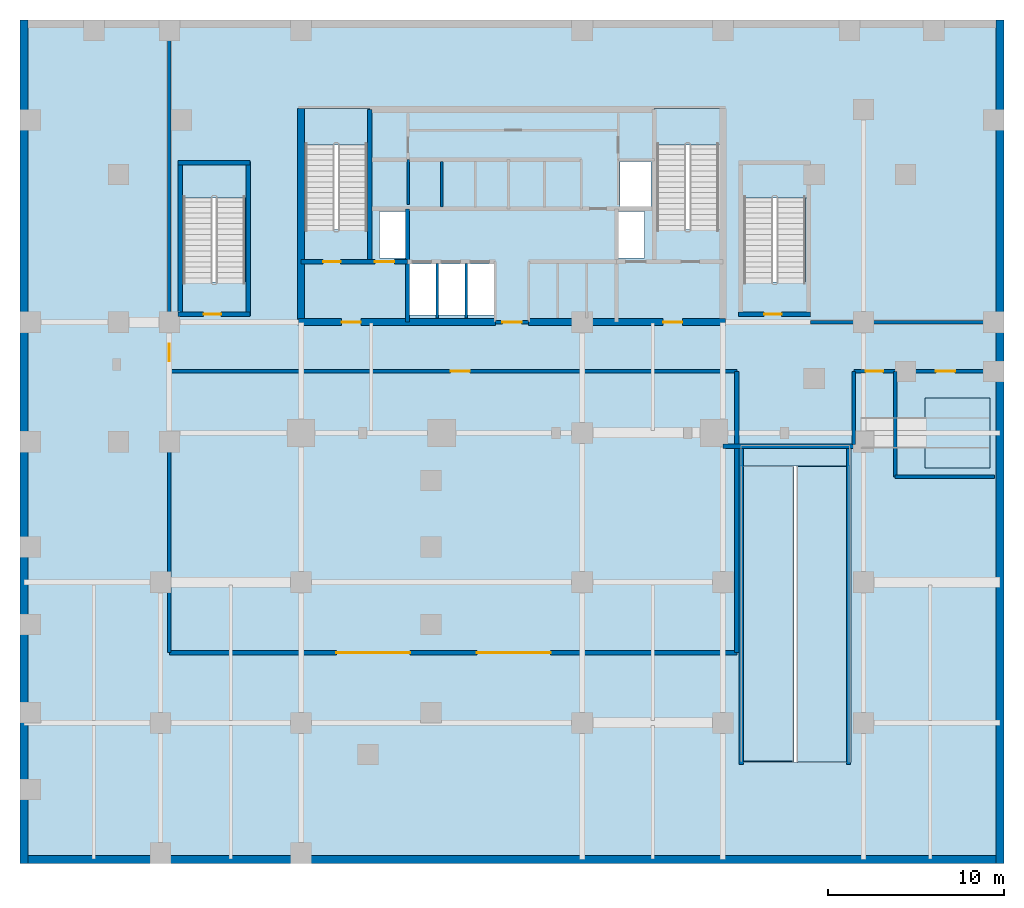
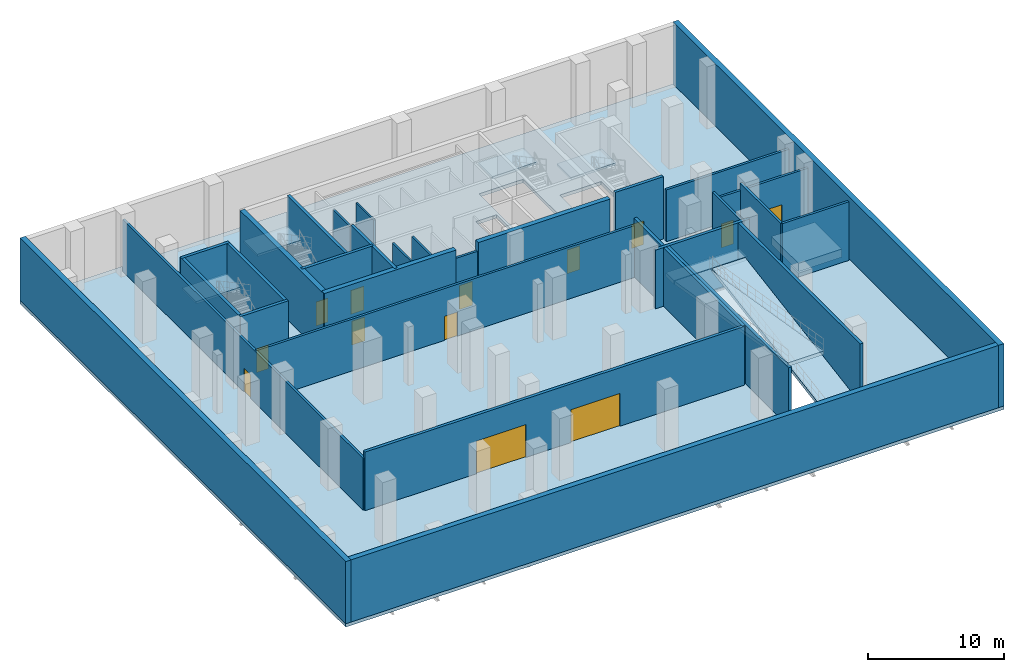
# One storey, part 2 of 5: 31 walls, 13 doors, 9 slabs, 13 openings, 4 elements without a shape of their own.
"""IFC4 building model written with IfcOpenShell, lengths in metres."""

from ifc_helpers import new_model, si_unit, direction, frame, frame_2d, origin, place, context, subcontext, project, spatial, polyline, rectangle, outline, extrude, material, layer, layer_set, type_object, element, fill, aggregate, save


model = new_model("IFC4")

# Units and contexts
model_context = context("Model", 3, precision=1e-05, world=origin(), true_north=direction((0.0, 1.0)))
body_context = subcontext(model_context, "Body", "Model", "MODEL_VIEW")
ifc_project = project(units=[si_unit("LENGTHUNIT", "METRE"), si_unit("AREAUNIT", "SQUARE_METRE"), si_unit("VOLUMEUNIT", "CUBIC_METRE"), si_unit("PLANEANGLEUNIT", "RADIAN"), si_unit("MASSUNIT", "GRAM", prefix="KILO")], contexts=[model_context])

# Site, building, storey
site_placement = place(None, origin())
site = spatial("IfcSite", under=ifc_project, at=site_placement, CompositionType="ELEMENT")
building_placement = place(site_placement, origin())
building = spatial("IfcBuilding", under=site, at=building_placement, Name="Catumbela Crestline Tower", CompositionType="ELEMENT")
storey_placement = place(building_placement, frame((0.0, 0.0, -5.6)))
storey = spatial("IfcBuildingStorey", under=building, at=storey_placement, Name="B01", CompositionType="ELEMENT", Elevation=-5.6)

# Slab
ifc_material_1 = material(Name="Concrete C45/55", Category="concrete")
ifc_layer_1 = layer(ifc_material_1, 0.3, Name="Concrete C45/55")
ifc_layer_set_1 = layer_set([ifc_layer_1], Name="Concrete C45/55")
slab_type_1 = type_object("IfcSlabType", Name="SL-300B", PredefinedType="FLOOR", material=ifc_layer_set_1)
slab_1_placement = place(storey_placement, frame((0.0, 0.0, -0.3)))
element("IfcSlab", 1, at=slab_1_placement, inside=storey, type_object=slab_type_1, Name="B01 Structural Floor Slab", PredefinedType="FLOOR", context=body_context, shape_type="SweptSolid", body=[
    extrude(outline(polyline([(0.0, 0.0), (56.0, 0.0), (56.0, 48.0), (0.0, 48.0), (0.0, 0.0)]), holes=[polyline([(16.13, 36.08), (19.87, 36.08), (19.87, 42.92), (16.13, 42.92), (16.13, 36.08)]), polyline([(36.13, 36.08), (39.87, 36.08), (39.87, 42.92), (36.13, 42.92), (36.13, 36.08)]), polyline([(12.8, 33.08), (12.8, 39.8), (9.3, 39.8), (9.3, 33.08), (12.8, 33.08)]), polyline([(44.7, 33.08), (44.7, 39.8), (41.2, 39.8), (41.2, 33.08), (44.7, 33.08)]), polyline([(22.15, 31.2), (27.0, 31.2), (27.0, 34.1), (22.15, 34.1), (22.15, 31.2)]), polyline([(20.45, 34.45), (21.95, 34.45), (21.95, 37.1), (20.45, 37.1), (20.45, 34.45)]), polyline([(34.05, 34.45), (35.55, 34.45), (35.55, 37.1), (34.05, 37.1), (34.05, 34.45)]), polyline([(34.15, 37.4), (35.9, 37.4), (35.9, 39.95), (34.15, 39.95), (34.15, 37.4)]), polyline([(40.96, 5.74), (47.28, 5.74), (47.28, 23.86), (40.96, 23.86), (40.96, 5.74)])]), origin(), (0.0, 0.0, 1.0), 0.3),
])

# Stair, slab
stair_type = type_object("IfcStairType", Name="ST-DLG", PredefinedType="HALF_TURN_STAIR", material=ifc_material_1)
stair_1_placement = place(storey_placement, origin())
stair_1 = element("IfcStair", 2, at=stair_1_placement, inside=storey, type_object=stair_type, Name="B01 West Core Pressurised Exit Stair ST-01", PredefinedType="HALF_TURN_STAIR")
ifc_layer_2 = layer(ifc_material_1, 0.2, Name="Concrete C45/55")
ifc_layer_set_2 = layer_set([ifc_layer_2], Name="Concrete C45/55")
slab_type_2 = type_object("IfcSlabType", Name="SL-LND", PredefinedType="LANDING", material=ifc_layer_set_2)
slab_2_placement = place(storey_placement, frame((0.0, 0.0, 2.6)))
slab_2 = element("IfcSlab", 3, at=slab_2_placement, type_object=slab_type_2, Name="ST-01 landing 1", PredefinedType="LANDING", context=body_context, shape_type="SweptSolid", body=[
    extrude(outline(polyline([(19.91, 40.88), (19.91, 42.96), (16.09, 42.96), (16.09, 40.88), (19.91, 40.88)])), origin(), (0.0, 0.0, 1.0), 0.2),
])
aggregate(stair_1, [slab_2])

stair_2_placement = place(storey_placement, origin())
stair_2 = element("IfcStair", 4, at=stair_2_placement, inside=storey, type_object=stair_type, Name="B01 East Core Pressurised Exit Stair ST-02", PredefinedType="HALF_TURN_STAIR")
slab_3_placement = place(storey_placement, frame((0.0, 0.0, 2.6)))
slab_3 = element("IfcSlab", 5, at=slab_3_placement, type_object=slab_type_2, Name="ST-02 landing 1", PredefinedType="LANDING", context=body_context, shape_type="SweptSolid", body=[
    extrude(outline(polyline([(39.91, 40.88), (39.91, 42.96), (36.09, 42.96), (36.09, 40.88), (39.91, 40.88)])), origin(), (0.0, 0.0, 1.0), 0.2),
])
aggregate(stair_2, [slab_3])

stair_3_placement = place(storey_placement, origin())
stair_3 = element("IfcStair", 6, at=stair_3_placement, inside=storey, type_object=stair_type, Name="B01 South-West Podium Exit Stair ST-03", PredefinedType="HALF_TURN_STAIR")
slab_4_placement = place(storey_placement, frame((0.0, 0.0, 2.6)))
slab_4 = element("IfcSlab", 7, at=slab_4_placement, type_object=slab_type_2, Name="ST-03 landing 1", PredefinedType="LANDING", context=body_context, shape_type="SweptSolid", body=[
    extrude(outline(polyline([(12.96, 37.88), (12.96, 39.96), (9.14, 39.96), (9.14, 37.88), (12.96, 37.88)])), origin(), (0.0, 0.0, 1.0), 0.2),
])
aggregate(stair_3, [slab_4])

stair_4_placement = place(storey_placement, origin())
stair_4 = element("IfcStair", 8, at=stair_4_placement, inside=storey, type_object=stair_type, Name="B01 East Galleria Podium Exit Stair ST-04", PredefinedType="HALF_TURN_STAIR")
slab_5_placement = place(storey_placement, frame((0.0, 0.0, 2.6)))
slab_5 = element("IfcSlab", 9, at=slab_5_placement, type_object=slab_type_2, Name="ST-04 landing 1", PredefinedType="LANDING", context=body_context, shape_type="SweptSolid", body=[
    extrude(outline(polyline([(44.86, 37.88), (44.86, 39.96), (41.04, 39.96), (41.04, 37.88), (44.86, 37.88)])), origin(), (0.0, 0.0, 1.0), 0.2),
])
aggregate(stair_4, [slab_5])

# Slabs
slab_6_placement = place(storey_placement, origin())
element("IfcSlab", 10, at=slab_6_placement, inside=storey, type_object=slab_type_2, Name="B01 Raised Loading Dock Platform", PredefinedType="LANDING", context=body_context, shape_type="SweptSolid", body=[
    extrude(outline(polyline([(51.5, 22.5), (55.2, 22.5), (55.2, 26.5), (51.5, 26.5), (51.5, 22.5)])), origin(), (0.0, 0.0, 1.0), 0.75),
])
ifc_material_2 = material(Name="Concrete C50/60", Category="concrete")
ifc_layer_3 = layer(ifc_material_2, 0.35, Name="Concrete C50/60")
ifc_layer_set_3 = layer_set([ifc_layer_3], Name="Concrete C50/60")
slab_type_3 = type_object("IfcSlabType", Name="SL-RMP-350", PredefinedType="LANDING", material=ifc_layer_set_3)
slab_7_placement = place(storey_placement, frame((0.0, 0.0, 2.45)))
element("IfcSlab", 11, at=slab_7_placement, inside=storey, type_object=slab_type_3, Name="B01 Vehicle Ramp Mid-Landing Slab", PredefinedType="LANDING", context=body_context, shape_type="SweptSolid", body=[
    extrude(outline(polyline([(40.98, 22.62), (47.26, 22.62), (47.26, 23.84), (40.98, 23.84), (40.98, 22.62)])), origin(), (0.0, 0.0, 1.0), 0.35),
])
ifc_material_3 = material(Name="Concrete C40/50", Category="concrete")
ifc_layer_4 = layer(ifc_material_3, 0.3, Name="Concrete C40/50")
ifc_layer_set_4 = layer_set([ifc_layer_4], Name="Concrete C40/50")
slab_type_4 = type_object("IfcSlabType", Name="SVR-300", PredefinedType="FLOOR", material=ifc_layer_set_4)
slab_8_placement = place(storey_placement, frame((44.2, 5.78, 0.0), z_axis=(0.0, -0.164398987305, 0.986393923832), x_axis=(1.0, 0.0, 0.0)))
element("IfcSlab", 12, at=slab_8_placement, inside=storey, type_object=slab_type_4, Name="B01 Sloped Structural Vehicle Ramp Lower Slab", PredefinedType="FLOOR", context=body_context, shape_type="SweptSolid", body=[
    extrude(outline(polyline([(0.0, 0.0), (3.039999999999999, 0.0), (3.039999999999999, 17.03173508483501), (0.0, 17.03173508483501), (0.0, 0.0)])), origin(), (0.0, 0.0, -1.0), 0.3),
])
slab_9_placement = place(storey_placement, frame((40.98, 5.82, 5.6), z_axis=(0.0, 0.164780706361, 0.986330228073), x_axis=(1.0, 0.0, 0.0)))
element("IfcSlab", 13, at=slab_9_placement, inside=storey, type_object=slab_type_4, Name="B01 Sloped Structural Vehicle Ramp Upper Slab", PredefinedType="FLOOR", context=body_context, shape_type="SweptSolid", body=[
    extrude(outline(polyline([(0.0, 0.0), (3.0600000000000023, 0.0), (3.0600000000000023, 16.992280600319663), (0.0, 16.992280600319663), (0.0, 0.0)])), origin(), (0.0, 0.0, -1.0), 0.3),
])

# Wall, openings, doors
ifc_material_4 = material(Name="Acoustic gypsum and mineral-wool partition")
ifc_layer_5 = layer(ifc_material_4, 0.25, Name="Acoustic gypsum and mineral-wool partition")
ifc_layer_set_5 = layer_set([ifc_layer_5], Name="Acoustic gypsum and mineral-wool partition")
wall_type_1 = type_object("IfcWallType", Name="WB-250", PredefinedType="STANDARD", material=ifc_layer_set_5)
wall_1_placement = place(storey_placement, frame((8.5, 12.0, 0.0), z_axis=(0.0, 0.0, 1.0), x_axis=(1.0, 0.0, 0.0)))
wall_1 = element("IfcWall", 14, at=wall_1_placement, inside=storey, type_object=wall_type_1, Name="B01 Car Park Fire Compartment Wall", PredefinedType="STANDARD", context=body_context, shape_type="SweptSolid", body=[
    extrude(rectangle(XDim=32.3, YDim=0.25, at=frame_2d((16.15, 0.0))), origin(), (0.0, 0.0, 1.0), 5.27),
])
opening_1_placement = place(wall_1_placement, frame((9.5, 0.0, 0.0)))
opening_1 = element("IfcOpeningElement", 15, at=opening_1_placement, cuts=wall_1, Name="Opening DG-04", PredefinedType="OPENING", context=body_context, shape_type="SweptSolid", body=[
    extrude(rectangle(XDim=4.2, YDim=2.95, at=frame_2d((2.1, 1.475))), frame((0.0, 0.135, 0.0), z_axis=(0.0, -1.0, 0.0), x_axis=(1.0, 0.0, 0.0)), (0.0, 0.0, 1.0), 0.27),
])
opening_2_placement = place(wall_1_placement, frame((17.5, 0.0, 0.0)))
opening_2 = element("IfcOpeningElement", 16, at=opening_2_placement, cuts=wall_1, Name="Opening DG-05", PredefinedType="OPENING", context=body_context, shape_type="SweptSolid", body=[
    extrude(rectangle(XDim=4.2, YDim=2.95, at=frame_2d((2.1, 1.475))), frame((0.0, 0.135, 0.0), z_axis=(0.0, -1.0, 0.0), x_axis=(1.0, 0.0, 0.0)), (0.0, 0.0, 1.0), 0.27),
])
ifc_material_5 = material(Name="Stainless steel EN 1.4401", Category="steel")
door_type_1 = type_object("IfcDoorType", Name="DG-4200", OperationType="NOTDEFINED", PredefinedType="GATE", material=ifc_material_5)
door_1_placement = place(opening_1_placement, origin())
door_1 = element("IfcDoor", 17, at=door_1_placement, inside=storey, type_object=door_type_1, Name="B01 Security Vehicle Gate 4", OperationType="ROLLINGUP", OverallHeight=2.95, OverallWidth=4.2, PredefinedType="GATE", context=body_context, shape_type="SweptSolid", body=[
    extrude(rectangle(XDim=4.2, YDim=2.95, at=frame_2d((2.1, 1.475))), frame((0.0, 0.025, 0.0), z_axis=(0.0, -1.0, 0.0), x_axis=(1.0, 0.0, 0.0)), (0.0, 0.0, 1.0), 0.05),
])
fill(opening_1, door_1)
door_2_placement = place(opening_2_placement, origin())
door_2 = element("IfcDoor", 18, at=door_2_placement, inside=storey, type_object=door_type_1, Name="B01 Outbound Security Vehicle Gate 5", OperationType="ROLLINGUP", OverallHeight=2.95, OverallWidth=4.2, PredefinedType="GATE", context=body_context, shape_type="SweptSolid", body=[
    extrude(rectangle(XDim=4.2, YDim=2.95, at=frame_2d((2.1, 1.475))), frame((0.0, 0.025, 0.0), z_axis=(0.0, -1.0, 0.0), x_axis=(1.0, 0.0, 0.0)), (0.0, 0.0, 1.0), 0.05),
])
fill(opening_2, door_2)

# Walls
wall_2_placement = place(storey_placement, frame((40.8, 12.0, 0.0), z_axis=(0.0, 0.0, 1.0), x_axis=(0.0, 1.0, 0.0)))
element("IfcWall", 19, at=wall_2_placement, inside=storey, type_object=wall_type_1, Name="B01 Ramp Vestibule Compartment Wall", PredefinedType="STANDARD", context=body_context, shape_type="SweptSolid", body=[
    extrude(rectangle(XDim=16.0, YDim=0.25, at=frame_2d((8.0, 0.0))), origin(), (0.0, 0.0, 1.0), 5.27),
])
ifc_layer_6 = layer(ifc_material_2, 0.25, Name="Concrete C50/60")
ifc_layer_set_6 = layer_set([ifc_layer_6], Name="Concrete C50/60")
wall_type_2 = type_object("IfcWallType", Name="CW-250D", PredefinedType="SHEAR", material=ifc_layer_set_6)
wall_3_placement = place(storey_placement, frame((19.9, 34.25, 0.0), z_axis=(0.0, 0.0, 1.0), x_axis=(0.0, 1.0, 0.0)))
element("IfcWall", 20, at=wall_3_placement, inside=storey, type_object=wall_type_2, Name="B01 Structural Core Shear Wall WWEB", PredefinedType="SHEAR", context=body_context, shape_type="SweptSolid", body=[
    extrude(rectangle(XDim=8.65, YDim=0.25, at=frame_2d((4.325, 0.0))), origin(), (0.0, 0.0, 1.0), 5.6),
])
wall_4_placement = place(storey_placement, frame((22.05, 30.8, 0.0), z_axis=(0.0, 0.0, 1.0), x_axis=(0.0, 1.0, 0.0)))
element("IfcWall", 21, at=wall_4_placement, inside=storey, type_object=wall_type_2, Name="B01 Structural Core Shear Wall FFW", PredefinedType="SHEAR", context=body_context, shape_type="SweptSolid", body=[
    extrude(rectangle(XDim=6.45, YDim=0.25, at=frame_2d((3.225, 0.0))), origin(), (0.0, 0.0, 1.0), 5.6),
])

# Wall, openings, doors
wall_5_placement = place(storey_placement, frame((16.0, 34.25, 0.0), z_axis=(0.0, 0.0, 1.0), x_axis=(1.0, 0.0, 0.0)))
wall_5 = element("IfcWall", 22, at=wall_5_placement, inside=storey, type_object=wall_type_2, Name="B01 Structural Core Shear Wall ST1S", PredefinedType="SHEAR", context=body_context, shape_type="SweptSolid", body=[
    extrude(rectangle(XDim=6.05, YDim=0.25, at=frame_2d((3.025, 0.0))), origin(), (0.0, 0.0, 1.0), 5.6),
])
opening_3_placement = place(wall_5_placement, frame((1.25, 0.0, 0.0)))
opening_3 = element("IfcOpeningElement", 23, at=opening_3_placement, cuts=wall_5, Name="Opening DF9-100", PredefinedType="OPENING", context=body_context, shape_type="SweptSolid", body=[
    extrude(rectangle(XDim=1.0, YDim=2.15, at=frame_2d((0.5, 1.075))), frame((0.0, 0.135, 0.0), z_axis=(0.0, -1.0, 0.0), x_axis=(1.0, 0.0, 0.0)), (0.0, 0.0, 1.0), 0.27),
])
opening_4_placement = place(wall_5_placement, frame((4.2, 0.0, 0.0)))
opening_4 = element("IfcOpeningElement", 24, at=opening_4_placement, cuts=wall_5, Name="Opening LD-110", PredefinedType="OPENING", context=body_context, shape_type="SweptSolid", body=[
    extrude(rectangle(XDim=1.1, YDim=2.15, at=frame_2d((0.55, 1.075))), frame((0.0, 0.135, 0.0), z_axis=(0.0, -1.0, 0.0), x_axis=(1.0, 0.0, 0.0)), (0.0, 0.0, 1.0), 0.27),
])
door_type_2 = type_object("IfcDoorType", Name="DF9-100", OperationType="NOTDEFINED", PredefinedType="DOOR", material=ifc_material_5)
door_3_placement = place(opening_3_placement, origin())
door_3 = element("IfcDoor", 25, at=door_3_placement, inside=storey, type_object=door_type_2, Name="B01 Interior Door DR-B01-ST01", OperationType="SINGLE_SWING_LEFT", OverallHeight=2.15, OverallWidth=1.0, PredefinedType="DOOR", context=body_context, shape_type="SweptSolid", body=[
    extrude(rectangle(XDim=1.0, YDim=2.15, at=frame_2d((0.5, 1.075))), frame((0.0, 0.025, 0.0), z_axis=(0.0, -1.0, 0.0), x_axis=(1.0, 0.0, 0.0)), (0.0, 0.0, 1.0), 0.05),
])
fill(opening_3, door_3)
door_type_3 = type_object("IfcDoorType", Name="LD-110", OperationType="NOTDEFINED", PredefinedType="DOOR", material=ifc_material_5)
door_4_placement = place(opening_4_placement, origin())
door_4 = element("IfcDoor", 26, at=door_4_placement, inside=storey, type_object=door_type_3, Name="B01 Lift Landing Sliding Door FL-01", OperationType="DOUBLE_DOOR_SLIDING", OverallHeight=2.15, OverallWidth=1.1, PredefinedType="DOOR", context=body_context, shape_type="SweptSolid", body=[
    extrude(rectangle(XDim=1.1, YDim=2.15, at=frame_2d((0.55, 1.075))), frame((0.0, 0.025, 0.0), z_axis=(0.0, -1.0, 0.0), x_axis=(1.0, 0.0, 0.0)), (0.0, 0.0, 1.0), 0.05),
])
fill(opening_4, door_4)

# Walls
for number, where, z_axis, x_axis, name in (
    (27, (9.12, 31.15, 0.0), (0.0, 0.0, 1.0), (0.0, 1.0, 0.0), "B01 Structural Core Shear Wall ST3W"),
    (28, (12.98, 31.15, 0.0), (0.0, 0.0, 1.0), (0.0, 1.0, 0.0), "B01 Structural Core Shear Wall ST3E"),
):
    element("IfcWall", number, at=place(storey_placement, frame(where, z_axis=z_axis, x_axis=x_axis)), inside=storey, type_object=wall_type_2, Name=name, PredefinedType="SHEAR", context=body_context, shape_type="SweptSolid", body=[
        extrude(rectangle(XDim=8.8, YDim=0.25, at=frame_2d((4.4, 0.0))), origin(), (0.0, 0.0, 1.0), 5.6),
    ])
wall_6_placement = place(storey_placement, frame((9.0, 39.88, 0.0), z_axis=(0.0, 0.0, 1.0), x_axis=(1.0, 0.0, 0.0)))
element("IfcWall", 29, at=wall_6_placement, inside=storey, type_object=wall_type_2, Name="B01 Structural Core Shear Wall ST3N", PredefinedType="SHEAR", context=body_context, shape_type="SweptSolid", body=[
    extrude(rectangle(XDim=4.1, YDim=0.25, at=frame_2d((2.05, 0.0))), origin(), (0.0, 0.0, 1.0), 5.6),
])

# Wall, opening, door
wall_7_placement = place(storey_placement, frame((9.0, 31.25, 0.0), z_axis=(0.0, 0.0, 1.0), x_axis=(1.0, 0.0, 0.0)))
wall_7 = element("IfcWall", 30, at=wall_7_placement, inside=storey, type_object=wall_type_2, Name="B01 Structural Core Shear Wall ST3S", PredefinedType="SHEAR", context=body_context, shape_type="SweptSolid", body=[
    extrude(rectangle(XDim=4.1, YDim=0.25, at=frame_2d((2.05, 0.0))), origin(), (0.0, 0.0, 1.0), 5.6),
])
opening_5_placement = place(wall_7_placement, frame((1.45, 0.0, 0.0)))
opening_5 = element("IfcOpeningElement", 31, at=opening_5_placement, cuts=wall_7, Name="Opening DF9-100", PredefinedType="OPENING", context=body_context, shape_type="SweptSolid", body=[
    extrude(rectangle(XDim=1.0, YDim=2.15, at=frame_2d((0.5, 1.075))), frame((0.0, 0.135, 0.0), z_axis=(0.0, -1.0, 0.0), x_axis=(1.0, 0.0, 0.0)), (0.0, 0.0, 1.0), 0.27),
])
door_5_placement = place(opening_5_placement, origin())
door_5 = element("IfcDoor", 32, at=door_5_placement, inside=storey, type_object=door_type_2, Name="B01 Interior Door DR-B01-ST03", OperationType="SINGLE_SWING_LEFT", OverallHeight=2.15, OverallWidth=1.0, PredefinedType="DOOR", context=body_context, shape_type="SweptSolid", body=[
    extrude(rectangle(XDim=1.0, YDim=2.15, at=frame_2d((0.5, 1.075))), frame((0.0, 0.025, 0.0), z_axis=(0.0, -1.0, 0.0), x_axis=(1.0, 0.0, 0.0)), (0.0, 0.0, 1.0), 0.05),
])
fill(opening_5, door_5)

wall_8_placement = place(storey_placement, frame((40.9, 31.25, 0.0), z_axis=(0.0, 0.0, 1.0), x_axis=(1.0, 0.0, 0.0)))
wall_8 = element("IfcWall", 33, at=wall_8_placement, inside=storey, type_object=wall_type_2, Name="B01 Structural Core Shear Wall ST4S", PredefinedType="SHEAR", context=body_context, shape_type="SweptSolid", body=[
    extrude(rectangle(XDim=4.1, YDim=0.25, at=frame_2d((2.05, 0.0))), origin(), (0.0, 0.0, 1.0), 5.6),
])
opening_6_placement = place(wall_8_placement, frame((1.45, 0.0, 0.0)))
opening_6 = element("IfcOpeningElement", 34, at=opening_6_placement, cuts=wall_8, Name="Opening DF9-100", PredefinedType="OPENING", context=body_context, shape_type="SweptSolid", body=[
    extrude(rectangle(XDim=1.0, YDim=2.15, at=frame_2d((0.5, 1.075))), frame((0.0, 0.135, 0.0), z_axis=(0.0, -1.0, 0.0), x_axis=(1.0, 0.0, 0.0)), (0.0, 0.0, 1.0), 0.27),
])
door_6_placement = place(opening_6_placement, origin())
door_6 = element("IfcDoor", 35, at=door_6_placement, inside=storey, type_object=door_type_2, Name="B01 Interior Door DR-B01-ST04", OperationType="SINGLE_SWING_RIGHT", OverallHeight=2.15, OverallWidth=1.0, PredefinedType="DOOR", context=body_context, shape_type="SweptSolid", body=[
    extrude(rectangle(XDim=1.0, YDim=2.15, at=frame_2d((0.5, 1.075))), frame((0.0, 0.025, 0.0), z_axis=(0.0, -1.0, 0.0), x_axis=(1.0, 0.0, 0.0)), (0.0, 0.0, 1.0), 0.05),
])
fill(opening_6, door_6)

# Wall
ifc_material_6 = material(Name="Concrete C60/75", Category="concrete")
ifc_layer_7 = layer(ifc_material_6, 0.4, Name="Concrete C60/75")
ifc_layer_set_7 = layer_set([ifc_layer_7], Name="Concrete C60/75")
wall_type_3 = type_object("IfcWallType", Name="CW-400A", PredefinedType="SHEAR", material=ifc_layer_set_7)
wall_9_placement = place(storey_placement, frame((16.0, 30.65, 0.0), z_axis=(0.0, 0.0, 1.0), x_axis=(0.0, 1.0, 0.0)))
element("IfcWall", 36, at=wall_9_placement, inside=storey, type_object=wall_type_3, Name="B01 Structural Core Shear Wall W", PredefinedType="SHEAR", context=body_context, shape_type="SweptSolid", body=[
    extrude(rectangle(XDim=12.3, YDim=0.4, at=frame_2d((6.15, 0.0))), origin(), (0.0, 0.0, 1.0), 5.6),
])

# Wall, opening, door
wall_10_placement = place(storey_placement, frame((15.85, 30.8, 0.0), z_axis=(0.0, 0.0, 1.0), x_axis=(1.0, 0.0, 0.0)))
wall_10 = element("IfcWall", 37, at=wall_10_placement, inside=storey, type_object=wall_type_3, Name="B01 Structural Core Shear Wall SW", PredefinedType="SHEAR", context=body_context, shape_type="SweptSolid", body=[
    extrude(rectangle(XDim=11.2, YDim=0.4, at=frame_2d((5.6, 0.0))), origin(), (0.0, 0.0, 1.0), 5.6),
])
opening_7_placement = place(wall_10_placement, frame((2.45, 0.0, 0.0)))
opening_7 = element("IfcOpeningElement", 38, at=opening_7_placement, cuts=wall_10, Name="Opening DF9-110", PredefinedType="OPENING", context=body_context, shape_type="SweptSolid", body=[
    extrude(rectangle(XDim=1.1, YDim=2.15, at=frame_2d((0.55, 1.075))), frame((0.0, 0.21, 0.0), z_axis=(0.0, -1.0, 0.0), x_axis=(1.0, 0.0, 0.0)), (0.0, 0.0, 1.0), 0.42),
])
door_type_4 = type_object("IfcDoorType", Name="DF9-110", OperationType="NOTDEFINED", PredefinedType="DOOR", material=ifc_material_5)
door_7_placement = place(opening_7_placement, origin())
door_7 = element("IfcDoor", 39, at=door_7_placement, inside=storey, type_object=door_type_4, Name="B01 Interior Door DR-B01-FFW-S", OperationType="SINGLE_SWING_LEFT", OverallHeight=2.15, OverallWidth=1.1, PredefinedType="DOOR", context=body_context, shape_type="SweptSolid", body=[
    extrude(rectangle(XDim=1.1, YDim=2.15, at=frame_2d((0.55, 1.075))), frame((0.0, 0.025, 0.0), z_axis=(0.0, -1.0, 0.0), x_axis=(1.0, 0.0, 0.0)), (0.0, 0.0, 1.0), 0.05),
])
fill(opening_7, door_7)

wall_11_placement = place(storey_placement, frame((28.95, 30.8, 0.0), z_axis=(0.0, 0.0, 1.0), x_axis=(1.0, 0.0, 0.0)))
wall_11 = element("IfcWall", 40, at=wall_11_placement, inside=storey, type_object=wall_type_3, Name="B01 Structural Core Shear Wall SE", PredefinedType="SHEAR", context=body_context, shape_type="SweptSolid", body=[
    extrude(rectangle(XDim=11.2, YDim=0.4, at=frame_2d((5.6, 0.0))), origin(), (0.0, 0.0, 1.0), 5.6),
])
opening_8_placement = place(wall_11_placement, frame((7.65, 0.0, 0.0)))
opening_8 = element("IfcOpeningElement", 41, at=opening_8_placement, cuts=wall_11, Name="Opening DF9-110", PredefinedType="OPENING", context=body_context, shape_type="SweptSolid", body=[
    extrude(rectangle(XDim=1.1, YDim=2.15, at=frame_2d((0.55, 1.075))), frame((0.0, 0.21, 0.0), z_axis=(0.0, -1.0, 0.0), x_axis=(1.0, 0.0, 0.0)), (0.0, 0.0, 1.0), 0.42),
])
door_8_placement = place(opening_8_placement, origin())
door_8 = element("IfcDoor", 42, at=door_8_placement, inside=storey, type_object=door_type_4, Name="B01 Interior Door DR-B01-FFE-S", OperationType="SINGLE_SWING_RIGHT", OverallHeight=2.15, OverallWidth=1.1, PredefinedType="DOOR", context=body_context, shape_type="SweptSolid", body=[
    extrude(rectangle(XDim=1.1, YDim=2.15, at=frame_2d((0.55, 1.075))), frame((0.0, 0.025, 0.0), z_axis=(0.0, -1.0, 0.0), x_axis=(1.0, 0.0, 0.0)), (0.0, 0.0, 1.0), 0.05),
])
fill(opening_8, door_8)

ifc_layer_8 = layer(ifc_material_4, 0.2, Name="Acoustic gypsum and mineral-wool partition")
ifc_layer_set_8 = layer_set([ifc_layer_8], Name="Acoustic gypsum and mineral-wool partition")
wall_type_4 = type_object("IfcWallType", Name="WC-200", PredefinedType="PARTITIONING", material=ifc_layer_set_8)
wall_12_placement = place(storey_placement, frame((27.05, 30.8, 0.0), z_axis=(0.0, 0.0, 1.0), x_axis=(1.0, 0.0, 0.0)))
wall_12 = element("IfcWall", 43, at=wall_12_placement, inside=storey, type_object=wall_type_4, Name="B01 Interior Partition PW-B01-CLOBS", PredefinedType="PARTITIONING", context=body_context, shape_type="SweptSolid", body=[
    extrude(rectangle(XDim=1.9, YDim=0.2, at=frame_2d((0.95, 0.0))), origin(), (0.0, 0.0, 1.0), 4.76),
])
opening_9_placement = place(wall_12_placement, frame((0.4, 0.0, 0.0)))
opening_9 = element("IfcOpeningElement", 44, at=opening_9_placement, cuts=wall_12, Name="Opening DF9-110", PredefinedType="OPENING", context=body_context, shape_type="SweptSolid", body=[
    extrude(rectangle(XDim=1.1, YDim=2.15, at=frame_2d((0.55, 1.075))), frame((0.0, 0.11, 0.0), z_axis=(0.0, -1.0, 0.0), x_axis=(1.0, 0.0, 0.0)), (0.0, 0.0, 1.0), 0.22),
])
door_9_placement = place(opening_9_placement, origin())
door_9 = element("IfcDoor", 45, at=door_9_placement, inside=storey, type_object=door_type_4, Name="B01 Interior Door DR-B01-CLOBS", OperationType="SINGLE_SWING_LEFT", OverallHeight=2.15, OverallWidth=1.1, PredefinedType="DOOR", context=body_context, shape_type="SweptSolid", body=[
    extrude(rectangle(XDim=1.1, YDim=2.15, at=frame_2d((0.55, 1.075))), frame((0.0, 0.025, 0.0), z_axis=(0.0, -1.0, 0.0), x_axis=(1.0, 0.0, 0.0)), (0.0, 0.0, 1.0), 0.05),
])
fill(opening_9, door_9)

# Wall
wall_13_placement = place(storey_placement, frame((45.0, 30.8, 0.0), z_axis=(0.0, 0.0, 1.0), x_axis=(1.0, 0.0, 0.0)))
element("IfcWall", 46, at=wall_13_placement, inside=storey, type_object=wall_type_4, Name="B01 Interior Partition PW-B01-CORN-E", PredefinedType="PARTITIONING", context=body_context, shape_type="SweptSolid", body=[
    extrude(rectangle(XDim=10.45, YDim=0.2, at=frame_2d((5.225, 0.0))), origin(), (0.0, 0.0, 1.0), 4.66),
])

# Wall, opening, door
wall_14_placement = place(storey_placement, frame((8.5, 28.0, 0.0), z_axis=(0.0, 0.0, 1.0), x_axis=(1.0, 0.0, 0.0)))
wall_14 = element("IfcWall", 47, at=wall_14_placement, inside=storey, type_object=wall_type_4, Name="B01 Interior Partition PW-B01-PKN", PredefinedType="PARTITIONING", context=body_context, shape_type="SweptSolid", body=[
    extrude(rectangle(XDim=32.3, YDim=0.2, at=frame_2d((16.15, 0.0))), origin(), (0.0, 0.0, 1.0), 4.66),
])
opening_10_placement = place(wall_14_placement, frame((16.0, 0.0, 0.0)))
opening_10 = element("IfcOpeningElement", 48, at=opening_10_placement, cuts=wall_14, Name="Opening DF9-110", PredefinedType="OPENING", context=body_context, shape_type="SweptSolid", body=[
    extrude(rectangle(XDim=1.1, YDim=2.15, at=frame_2d((0.55, 1.075))), frame((0.0, 0.11, 0.0), z_axis=(0.0, -1.0, 0.0), x_axis=(1.0, 0.0, 0.0)), (0.0, 0.0, 1.0), 0.22),
])
door_10_placement = place(opening_10_placement, origin())
door_10 = element("IfcDoor", 49, at=door_10_placement, inside=storey, type_object=door_type_4, Name="B01 Interior Door DR-B01-PKN", OperationType="SINGLE_SWING_LEFT", OverallHeight=2.15, OverallWidth=1.1, PredefinedType="DOOR", context=body_context, shape_type="SweptSolid", body=[
    extrude(rectangle(XDim=1.1, YDim=2.15, at=frame_2d((0.55, 1.075))), frame((0.0, 0.025, 0.0), z_axis=(0.0, -1.0, 0.0), x_axis=(1.0, 0.0, 0.0)), (0.0, 0.0, 1.0), 0.05),
])
fill(opening_10, door_10)

wall_15_placement = place(storey_placement, frame((8.5, 12.0, 0.0), z_axis=(0.0, 0.0, 1.0), x_axis=(0.0, 1.0, 0.0)))
wall_15 = element("IfcWall", 50, at=wall_15_placement, inside=storey, type_object=wall_type_4, Name="B01 Interior Partition PW-B01-CIS", PredefinedType="PARTITIONING", context=body_context, shape_type="SweptSolid", body=[
    extrude(rectangle(XDim=35.45, YDim=0.2, at=frame_2d((17.725, 0.0))), origin(), (0.0, 0.0, 1.0), 4.66),
])
opening_11_placement = place(wall_15_placement, frame((16.5737, 0.0, 0.0)))
opening_11 = element("IfcOpeningElement", 51, at=opening_11_placement, cuts=wall_15, Name="Opening DF9-100", PredefinedType="OPENING", context=body_context, shape_type="SweptSolid", body=[
    extrude(rectangle(XDim=1.0, YDim=2.15, at=frame_2d((0.5, 1.075))), frame((0.0, 0.11, 0.0), z_axis=(0.0, -1.0, 0.0), x_axis=(1.0, 0.0, 0.0)), (0.0, 0.0, 1.0), 0.22),
])
door_11_placement = place(opening_11_placement, origin())
door_11 = element("IfcDoor", 52, at=door_11_placement, inside=storey, type_object=door_type_2, Name="B01 Interior Door DR-B01-CIS", OperationType="SINGLE_SWING_LEFT", OverallHeight=2.15, OverallWidth=1.0, PredefinedType="DOOR", context=body_context, shape_type="SweptSolid", body=[
    extrude(rectangle(XDim=1.0, YDim=2.15, at=frame_2d((0.5, 1.075))), frame((0.0, 0.025, 0.0), z_axis=(0.0, -1.0, 0.0), x_axis=(1.0, 0.0, 0.0)), (0.0, 0.0, 1.0), 0.05),
])
fill(opening_11, door_11)

# Wall
wall_16_placement = place(storey_placement, frame((47.45, 23.85, 0.0), z_axis=(0.0, 0.0, 1.0), x_axis=(0.0, 1.0, 0.0)))
element("IfcWall", 53, at=wall_16_placement, inside=storey, type_object=wall_type_4, Name="B01 Interior Partition PW-B01-PKRMP-W", PredefinedType="PARTITIONING", context=body_context, shape_type="SweptSolid", body=[
    extrude(rectangle(XDim=4.15, YDim=0.2, at=frame_2d((2.075, 0.0))), origin(), (0.0, 0.0, 1.0), 5.27),
])

# Wall, openings, doors
wall_17_placement = place(storey_placement, frame((47.45, 28.0, 0.0), z_axis=(0.0, 0.0, 1.0), x_axis=(1.0, 0.0, 0.0)))
wall_17 = element("IfcWall", 54, at=wall_17_placement, inside=storey, type_object=wall_type_4, Name="B01 Interior Partition PW-B01-PKRMP-N", PredefinedType="PARTITIONING", context=body_context, shape_type="SweptSolid", body=[
    extrude(rectangle(XDim=8.0, YDim=0.2, at=frame_2d((4.0, 0.0))), origin(), (0.0, 0.0, 1.0), 4.66),
])
opening_12_placement = place(wall_17_placement, frame((0.675, 0.0, 0.0)))
opening_12 = element("IfcOpeningElement", 55, at=opening_12_placement, cuts=wall_17, Name="Opening DF9-100", PredefinedType="OPENING", context=body_context, shape_type="SweptSolid", body=[
    extrude(rectangle(XDim=1.0, YDim=2.15, at=frame_2d((0.5, 1.075))), frame((0.0, 0.11, 0.0), z_axis=(0.0, -1.0, 0.0), x_axis=(1.0, 0.0, 0.0)), (0.0, 0.0, 1.0), 0.22),
])
opening_13_placement = place(wall_17_placement, frame((4.675, 0.0, 0.0)))
opening_13 = element("IfcOpeningElement", 56, at=opening_13_placement, cuts=wall_17, Name="Opening DF9-110", PredefinedType="OPENING", context=body_context, shape_type="SweptSolid", body=[
    extrude(rectangle(XDim=1.1, YDim=2.15, at=frame_2d((0.55, 1.075))), frame((0.0, 0.11, 0.0), z_axis=(0.0, -1.0, 0.0), x_axis=(1.0, 0.0, 0.0)), (0.0, 0.0, 1.0), 0.22),
])
door_12_placement = place(opening_12_placement, origin())
door_12 = element("IfcDoor", 57, at=door_12_placement, inside=storey, type_object=door_type_2, Name="B01 Interior Door DR-B01-PKRMP", OperationType="SINGLE_SWING_LEFT", OverallHeight=2.15, OverallWidth=1.0, PredefinedType="DOOR", context=body_context, shape_type="SweptSolid", body=[
    extrude(rectangle(XDim=1.0, YDim=2.15, at=frame_2d((0.5, 1.075))), frame((0.0, 0.025, 0.0), z_axis=(0.0, -1.0, 0.0), x_axis=(1.0, 0.0, 0.0)), (0.0, 0.0, 1.0), 0.05),
])
fill(opening_12, door_12)
door_13_placement = place(opening_13_placement, origin())
door_13 = element("IfcDoor", 58, at=door_13_placement, inside=storey, type_object=door_type_4, Name="B01 Interior Door DR-B01-LDK", OperationType="SINGLE_SWING_RIGHT", OverallHeight=2.15, OverallWidth=1.1, PredefinedType="DOOR", context=body_context, shape_type="SweptSolid", body=[
    extrude(rectangle(XDim=1.1, YDim=2.15, at=frame_2d((0.55, 1.075))), frame((0.0, 0.025, 0.0), z_axis=(0.0, -1.0, 0.0), x_axis=(1.0, 0.0, 0.0)), (0.0, 0.0, 1.0), 0.05),
])
fill(opening_13, door_13)

# Walls
wall_18_placement = place(storey_placement, frame((49.8, 22.0, 0.0), z_axis=(0.0, 0.0, 1.0), x_axis=(1.0, 0.0, 0.0)))
element("IfcWall", 59, at=wall_18_placement, inside=storey, type_object=wall_type_4, Name="B01 Interior Partition PW-B01-LDKS", PredefinedType="PARTITIONING", context=body_context, shape_type="SweptSolid", body=[
    extrude(rectangle(XDim=5.65, YDim=0.2, at=frame_2d((2.825, 0.0))), origin(), (0.0, 0.0, 1.0), 5.27),
])
wall_19_placement = place(storey_placement, frame((49.8, 22.0, 0.0), z_axis=(0.0, 0.0, 1.0), x_axis=(0.0, 1.0, 0.0)))
element("IfcWall", 60, at=wall_19_placement, inside=storey, type_object=wall_type_4, Name="B01 Interior Partition PW-B01-LDKW", PredefinedType="PARTITIONING", context=body_context, shape_type="SweptSolid", body=[
    extrude(rectangle(XDim=6.0, YDim=0.2, at=frame_2d((3.0, 0.0))), origin(), (0.0, 0.0, 1.0), 5.27),
])
ifc_layer_9 = layer(ifc_material_2, 0.45, Name="Concrete C50/60")
ifc_layer_set_9 = layer_set([ifc_layer_9], Name="Concrete C50/60")
wall_type_5 = type_object("IfcWallType", Name="RW-450", PredefinedType="USERDEFINED", material=ifc_layer_set_9)
wall_20_placement = place(storey_placement, frame((0.0, 0.225, 0.0), z_axis=(0.0, 0.0, 1.0), x_axis=(1.0, 0.0, 0.0)))
element("IfcWall", 61, at=wall_20_placement, inside=storey, type_object=wall_type_5, Name="B01 Perimeter Diaphragm Retaining Wall S", ObjectType="RETAINING", PredefinedType="USERDEFINED", context=body_context, shape_type="SweptSolid", body=[
    extrude(rectangle(XDim=56.0, YDim=0.45, at=frame_2d((28.0, 0.0))), origin(), (0.0, 0.0, 1.0), 5.6),
])
for number, where, z_axis, x_axis, name in (
    (62, (0.225, 0.0, 0.0), (0.0, 0.0, 1.0), (0.0, 1.0, 0.0), "B01 Perimeter Diaphragm Retaining Wall W"),
    (63, (55.775, 0.0, 0.0), (0.0, 0.0, 1.0), (0.0, 1.0, 0.0), "B01 Perimeter Diaphragm Retaining Wall E"),
):
    element("IfcWall", number, at=place(storey_placement, frame(where, z_axis=z_axis, x_axis=x_axis)), inside=storey, type_object=wall_type_5, Name=name, ObjectType="RETAINING", PredefinedType="USERDEFINED", context=body_context, shape_type="SweptSolid", body=[
        extrude(rectangle(XDim=48.0, YDim=0.45, at=frame_2d((24.0, 0.0))), origin(), (0.0, 0.0, 1.0), 5.6),
    ])
ifc_layer_10 = layer(ifc_material_4, 0.15, Name="Acoustic gypsum and mineral-wool partition")
ifc_layer_set_10 = layer_set([ifc_layer_10], Name="Acoustic gypsum and mineral-wool partition")
wall_type_6 = type_object("IfcWallType", Name="WS-150", PredefinedType="PLUMBINGWALL", material=ifc_layer_set_10)
for number, where, z_axis, x_axis, name in (
    (64, (23.75, 31.05, 0.0), (0.0, 0.0, 1.0), (0.0, 1.0, 0.0), "B01 Interior Partition PW-B01-SHL1"),
    (65, (25.4, 31.05, 0.0), (0.0, 0.0, 1.0), (0.0, 1.0, 0.0), "B01 Interior Partition PW-B01-SHL2"),
):
    element("IfcWall", number, at=place(storey_placement, frame(where, z_axis=z_axis, x_axis=x_axis)), inside=storey, type_object=wall_type_6, Name=name, PredefinedType="PLUMBINGWALL", context=body_context, shape_type="SweptSolid", body=[
        extrude(rectangle(XDim=3.1, YDim=0.15, at=frame_2d((1.55, 0.0))), origin(), (0.0, 0.0, 1.0), 5.27),
    ])
wall_21_placement = place(storey_placement, frame((22.1, 37.4897, 0.0), z_axis=(0.0, 0.0, 1.0), x_axis=(0.0, 1.0, 0.0)))
element("IfcWall", 66, at=wall_21_placement, inside=storey, type_object=wall_type_6, Name="B01 Interior Partition PW-B01-SHH0", PredefinedType="PLUMBINGWALL", context=body_context, shape_type="SweptSolid", body=[
    extrude(rectangle(XDim=2.5603, YDim=0.15, at=frame_2d((1.2801, 0.0))), origin(), (0.0, 0.0, 1.0), 5.27),
])
wall_22_placement = place(storey_placement, frame((24.0, 37.35, 0.0), z_axis=(0.0, 0.0, 1.0), x_axis=(0.0, 1.0, 0.0)))
element("IfcWall", 67, at=wall_22_placement, inside=storey, type_object=wall_type_6, Name="B01 Interior Partition PW-B01-SHH1", PredefinedType="PLUMBINGWALL", context=body_context, shape_type="SweptSolid", body=[
    extrude(rectangle(XDim=2.6, YDim=0.15, at=frame_2d((1.3, 0.0))), origin(), (0.0, 0.0, 1.0), 5.27),
])
ifc_layer_11 = layer(ifc_material_1, 0.25, Name="Concrete C45/55")
ifc_layer_set_11 = layer_set([ifc_layer_11], Name="Concrete C45/55")
wall_type_7 = type_object("IfcWallType", Name="WS-200", PredefinedType="STANDARD", material=ifc_layer_set_11)
wall_23_placement = place(storey_placement, frame((40.0, 23.75, 0.0), z_axis=(0.0, 0.0, 1.0), x_axis=(1.0, 0.0, 0.0)))
element("IfcWall", 68, at=wall_23_placement, inside=storey, type_object=wall_type_7, Name="B01 Vehicle Ramp North Shaft Support Wall", PredefinedType="STANDARD", context=body_context, shape_type="SweptSolid", body=[
    extrude(rectangle(XDim=8.0, YDim=0.25, at=frame_2d((4.0, 0.0))), origin(), (0.0, 0.0, 1.0), 5.28),
])
for number, where, z_axis, x_axis, name in (
    (69, (47.15, 5.64, 0.0), (0.0, 0.0, 1.0), (0.0, 1.0, 0.0), "B01 Vehicle Ramp East Spine Support Wall"),
    (70, (41.05, 5.64, 0.0), (0.0, 0.0, 1.0), (0.0, 1.0, 0.0), "B01 Vehicle Ramp West Spine Support Wall"),
):
    element("IfcWall", number, at=place(storey_placement, frame(where, z_axis=z_axis, x_axis=x_axis)), inside=storey, type_object=wall_type_7, Name=name, PredefinedType="STANDARD", context=body_context, shape_type="SweptSolid", body=[
        extrude(rectangle(XDim=18.22, YDim=0.25, at=frame_2d((9.11, 0.0))), origin(), (0.0, 0.0, 1.0), 5.28),
    ])

save(model, "model.ifc")
